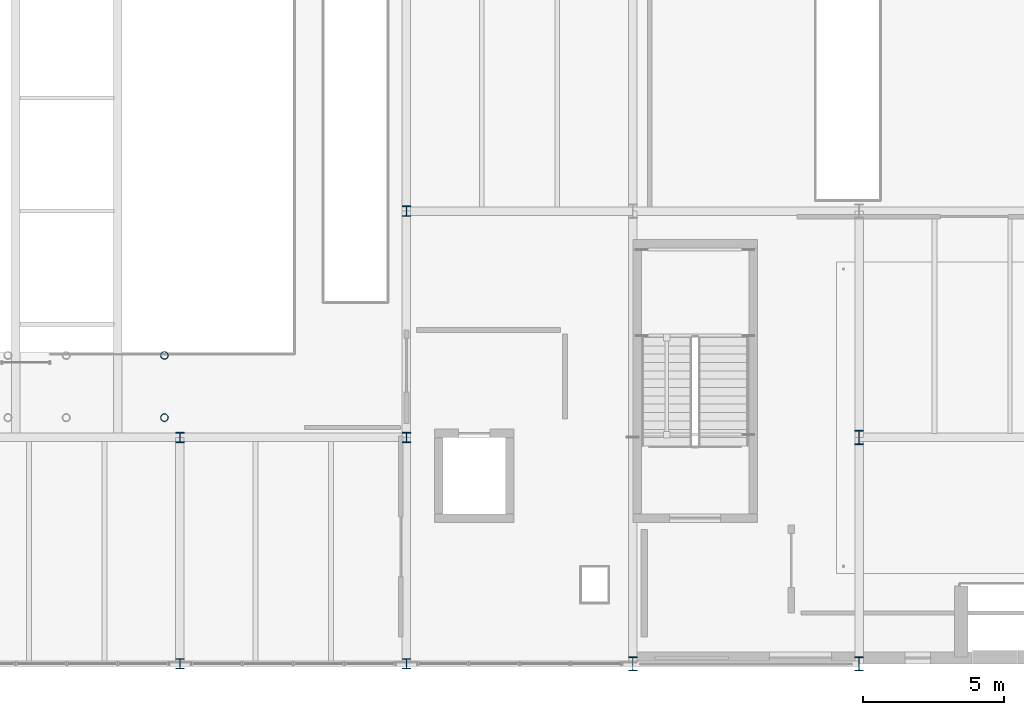
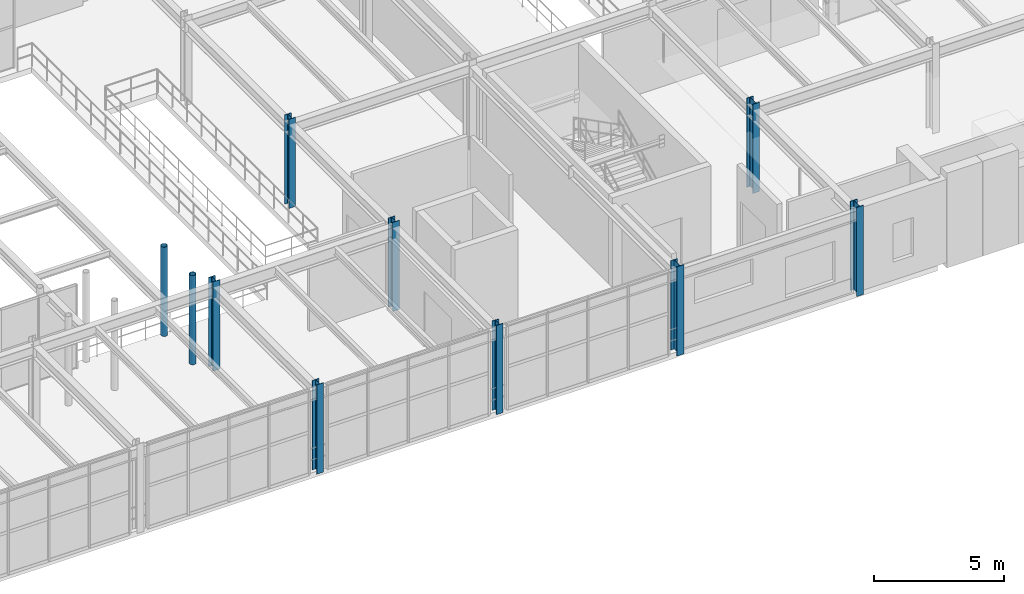
# One storey, part 3 of 122: 10 columns.
"""IFC4 building model written with IfcOpenShell, lengths in metres."""

from ifc_helpers import new_model, si_unit, direction, frame, origin, origin_2d, place, context, subcontext, project, spatial, hollow_circle, i_section, extrude, material, material_profile, profile_set, type_object, element, save


model = new_model("IFC4")

# Units and contexts
model_context = context("Model", 3, precision=1e-05, world=origin(), true_north=direction((0.0, 1.0)))
body_context = subcontext(model_context, "Body", "Model", "MODEL_VIEW")
ifc_project = project(units=[si_unit("LENGTHUNIT", "METRE"), si_unit("AREAUNIT", "SQUARE_METRE"), si_unit("VOLUMEUNIT", "CUBIC_METRE"), si_unit("PLANEANGLEUNIT", "RADIAN"), si_unit("MASSUNIT", "GRAM", prefix="KILO")], contexts=[model_context])

# Site, building, storey
site_placement = place(None, origin())
site = spatial("IfcSite", under=ifc_project, at=site_placement, CompositionType="ELEMENT")
building_placement = place(site_placement, origin())
building = spatial("IfcBuilding", under=site, at=building_placement, Name="Sundkrona Museum", CompositionType="ELEMENT")
storey_placement = place(building_placement, frame((0.0, 0.0, 5.39990234375)))
storey = spatial("IfcBuildingStorey", under=building, at=storey_placement, Name="L01", CompositionType="ELEMENT", Elevation=5.39990234375)

# Columns
ifc_material = material(Name="Steel S355J2", Category="steel")
ifc_material_profile_1 = material_profile(ifc_material, hollow_circle(Radius=0.136474609375, WallThickness=0.012451171875, at=origin_2d()), Name="CHS 273.0x12.5")
ifc_profile_set_1 = profile_set([ifc_material_profile_1], Name="Steel S355J2")
column_type_1 = type_object("IfcColumnType", Name="C-CHS273", PredefinedType="COLUMN", material=ifc_profile_set_1)
for number, where, z_axis, x_axis, name in (
    (1, (103.449951171875, 8.699951171875, 0.0), (0.0, 0.0, 1.0), (1.0, 0.0, 0.0), "L01 Feature Stair FS-4 Column S3-1"),
    (2, (103.449951171875, 10.89990234375, 0.0), (0.0, 0.0, 1.0), (1.0, 0.0, 0.0), "L01 Feature Stair FS-4 Column S3-2"),
):
    element("IfcColumn", number, at=place(storey_placement, frame(where, z_axis=z_axis, x_axis=x_axis)), inside=storey, type_object=column_type_1, Name=name, PredefinedType="COLUMN", context=body_context, shape_type="SweptSolid", body=[
        extrude(hollow_circle(Radius=0.136474609375, WallThickness=0.012451171875, at=origin_2d()), origin(), (0.0, 0.0, 1.0), 4.2001953125),
    ])
ifc_material_profile_2 = material_profile(ifc_material, i_section(OverallWidth=0.300048828125, OverallDepth=0.360107421875, WebThickness=0.012451171875, FlangeThickness=0.0224609375, FilletRadius=0.027099609375, at=origin_2d()), Name="HEB 360")
ifc_profile_set_2 = profile_set([ifc_material_profile_2], Name="Steel S355J2")
column_type_2 = type_object("IfcColumnType", Name="C-HEB360", PredefinedType="COLUMN", material=ifc_profile_set_2)
for number, where, z_axis, x_axis, name in (
    (3, (104.0, 0.0, 0.0), (0.0, 0.0, 1.0), (1.0, 0.0, 0.0), "L01 Column A/14"),
    (4, (104.0, 8.0, 0.0), (0.0, 0.0, 1.0), (1.0, 0.0, 0.0), "L01 Column B/14"),
    (5, (112.0, 0.0, 0.0), (0.0, 0.0, 1.0), (1.0, 0.0, 0.0), "L01 Column A/15"),
    (6, (112.0, 8.0, 0.0), (0.0, 0.0, 1.0), (1.0, 0.0, 0.0), "L01 Column B/15"),
    (7, (112.0, 16.0, 0.0), (0.0, 0.0, 1.0), (1.0, 0.0, 0.0), "L01 Column C/15"),
):
    element("IfcColumn", number, at=place(storey_placement, frame(where, z_axis=z_axis, x_axis=x_axis)), inside=storey, type_object=column_type_2, Name=name, PredefinedType="COLUMN", context=body_context, shape_type="SweptSolid", body=[
        extrude(i_section(OverallWidth=0.300048828125, OverallDepth=0.360107421875, WebThickness=0.012451171875, FlangeThickness=0.0224609375, FilletRadius=0.027099609375, at=origin_2d()), origin(), (0.0, 0.0, 1.0), 4.2001953125),
    ])
ifc_material_profile_3 = material_profile(ifc_material, i_section(OverallWidth=0.300048828125, OverallDepth=0.5, WebThickness=0.014404296875, FlangeThickness=0.028076171875, FilletRadius=0.027099609375, at=origin_2d()), Name="HEB 500")
ifc_profile_set_3 = profile_set([ifc_material_profile_3], Name="Steel S355J2")
column_type_3 = type_object("IfcColumnType", Name="C-HEB500", PredefinedType="COLUMN", material=ifc_profile_set_3)
for number, where, z_axis, x_axis, name in (
    (8, (120.0, 0.0, 0.0), (0.0, 0.0, 1.0), (1.0, 0.0, 0.0), "L01 Column A/16"),
    (9, (128.0, 0.0, 0.0), (0.0, 0.0, 1.0), (1.0, 0.0, 0.0), "L01 Column A/17"),
    (10, (128.0, 8.0, 0.0), (0.0, 0.0, 1.0), (1.0, 0.0, 0.0), "L01 Column B/17"),
):
    element("IfcColumn", number, at=place(storey_placement, frame(where, z_axis=z_axis, x_axis=x_axis)), inside=storey, type_object=column_type_3, Name=name, PredefinedType="COLUMN", context=body_context, shape_type="SweptSolid", body=[
        extrude(i_section(OverallWidth=0.300048828125, OverallDepth=0.5, WebThickness=0.014404296875, FlangeThickness=0.028076171875, FilletRadius=0.027099609375, at=origin_2d()), origin(), (0.0, 0.0, 1.0), 4.2001953125),
    ])

save(model, "model.ifc")
